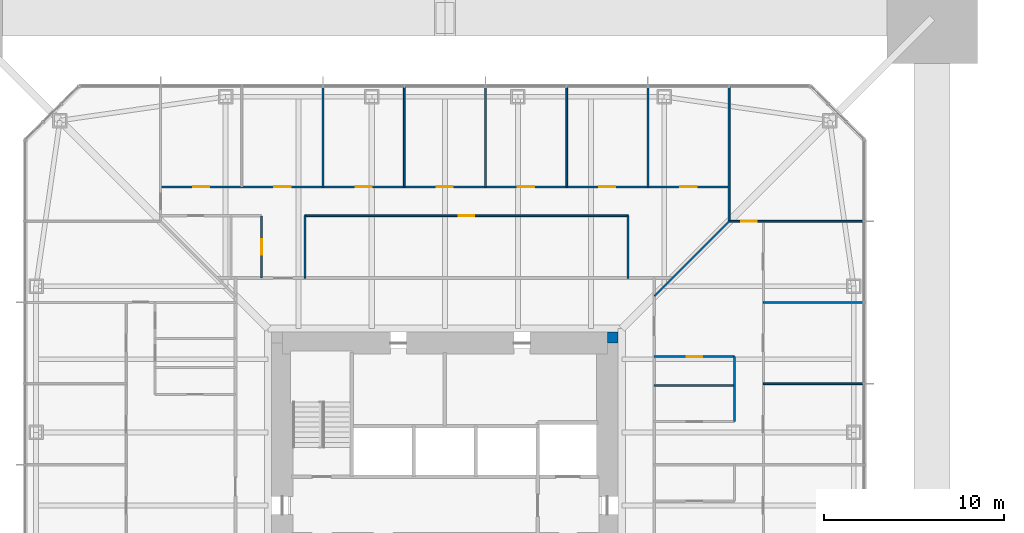
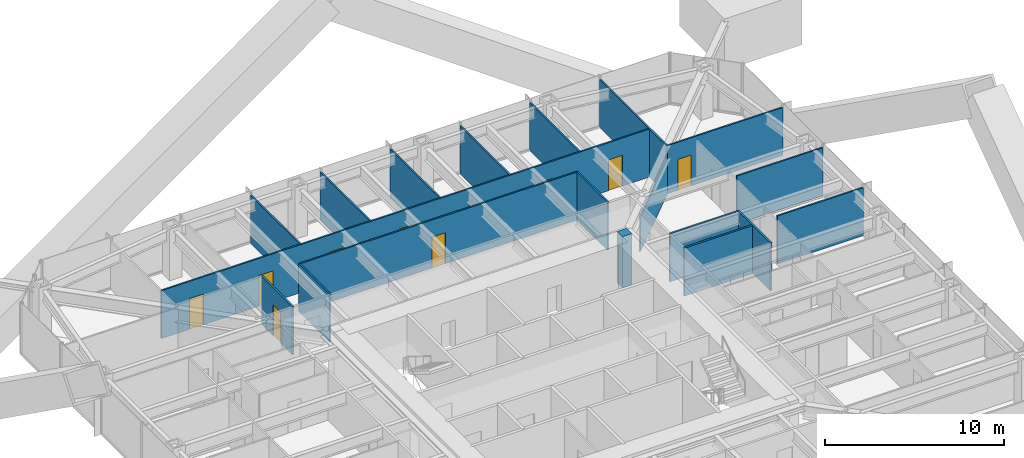
# One storey, part 19 of 28: 19 walls, 11 doors, 11 openings.
"""IFC4 building model written with IfcOpenShell, lengths in metres."""

from ifc_helpers import new_model, si_unit, direction, frame, frame_2d, origin, place, context, subcontext, project, spatial, rectangle, extrude, material, layer, layer_set, type_object, element, fill, save


model = new_model("IFC4")

# Units and contexts
model_context = context("Model", 3, precision=1e-05, world=origin(), true_north=direction((0.0, 1.0)))
body_context = subcontext(model_context, "Body", "Model", "MODEL_VIEW")
ifc_project = project(units=[si_unit("LENGTHUNIT", "METRE"), si_unit("AREAUNIT", "SQUARE_METRE"), si_unit("VOLUMEUNIT", "CUBIC_METRE"), si_unit("PLANEANGLEUNIT", "RADIAN"), si_unit("MASSUNIT", "GRAM", prefix="KILO")], contexts=[model_context])

# Site, building, storey
site_placement = place(None, origin())
site = spatial("IfcSite", under=ifc_project, at=site_placement, CompositionType="ELEMENT")
building_placement = place(site_placement, origin())
building = spatial("IfcBuilding", under=site, at=building_placement, Name="Iwan Alto Co-Living Towers", CompositionType="ELEMENT")
storey_placement = place(building_placement, frame((0.0, 0.0, 43.0)))
storey = spatial("IfcBuildingStorey", under=building, at=storey_placement, Name="L11", CompositionType="ELEMENT", Elevation=43.0)

# Walls
ifc_material_1 = material(Name="Gypsum board")
ifc_layer_1 = layer(ifc_material_1, 0.012451171875, Name="Board", Category="Finish")
ifc_material_2 = material(Name="Steel ASTM A1003 ST33H cold-formed studs", Category="steel")
ifc_layer_2 = layer(ifc_material_2, 0.074951171875, Name="Studs", Category="Framing")
ifc_layer_3 = layer(ifc_material_1, 0.012451171875, Name="Board", Category="Finish")
ifc_layer_set_1 = layer_set([ifc_layer_1, ifc_layer_2, ifc_layer_3], Name="PARTITION 100")
wall_type_1 = type_object("IfcWallType", Name="PARTITION 100", PredefinedType="PARTITIONING", material=ifc_layer_set_1)
for number, where, z_axis, x_axis, name in (
    (1, (17.64990234375, 6.75, 0.0), (0.0, 0.0, 1.0), (1.0, 0.0, 0.0), "Partition L11"),
    (2, (17.64990234375, 11.25, 0.0), (0.0, 0.0, 1.0), (1.0, 0.0, 0.0), "Partition L11"),
):
    element("IfcWall", number, at=place(storey_placement, frame(where, z_axis=z_axis, x_axis=x_axis)), inside=storey, type_object=wall_type_1, Name=name, PredefinedType="PARTITIONING", context=body_context, shape_type="SweptSolid", body=[
        extrude(rectangle(XDim=5.5400390625, YDim=0.10009765625, at=frame_2d((2.77001953125, 0.0))), origin(), (0.0, 0.0, 1.0), 3.27001953125),
    ])

# Wall, opening, door
wall_1_placement = place(storey_placement, frame((15.75, 15.75, 0.0), z_axis=(0.0, 0.0, 1.0), x_axis=(1.0, 0.0, 0.0)))
wall_1 = element("IfcWall", 3, at=wall_1_placement, inside=storey, type_object=wall_type_1, Name="Partition L11", PredefinedType="PARTITIONING", context=body_context, shape_type="SweptSolid", body=[
    extrude(rectangle(XDim=7.43994140625, YDim=0.10009765625, at=frame_2d((3.719970703125, 0.0))), origin(), (0.0, 0.0, 1.0), 3.27001953125),
])
opening_1_placement = place(wall_1_placement, frame((0.675048828125, 0.0, 0.0)))
opening_1 = element("IfcOpeningElement", 4, at=opening_1_placement, cuts=wall_1, Name="Opening D2", PredefinedType="OPENING", context=body_context, shape_type="SweptSolid", body=[
    extrude(rectangle(XDim=0.85009765625, YDim=2.10009765625, at=frame_2d((0.425048828125, 1.050048828125))), frame((0.0, 0.06005859375, 0.0), z_axis=(0.0, -1.0, 0.0), x_axis=(1.0, 0.0, 0.0)), (0.0, 0.0, 1.0), 0.1201171875),
])
ifc_material_3 = material(Name="Timber leaf in steel frame", Category="steel")
door_type_1 = type_object("IfcDoorType", Name="ROOM DOOR 850X2100", OperationType="SINGLE_SWING_LEFT", PredefinedType="DOOR", material=ifc_material_3)
door_1_placement = place(opening_1_placement, frame((0.85009765625, 0.0, 0.0), z_axis=(0.0, 0.0, 1.0), x_axis=(-1.0, 0.0, 0.0)))
door_1 = element("IfcDoor", 5, at=door_1_placement, inside=storey, type_object=door_type_1, Name="Shared kitchen and lounge door L11", OperationType="SINGLE_SWING_LEFT", OverallHeight=2.10009765625, OverallWidth=0.85009765625, PredefinedType="DOOR", context=body_context, shape_type="SweptSolid", body=[
    extrude(rectangle(XDim=0.85009765625, YDim=2.10009765625, at=frame_2d((0.425048828125, 1.050048828125))), frame((0.0, 0.02490234375, 0.0), z_axis=(0.0, -1.0, 0.0), x_axis=(1.0, 0.0, 0.0)), (0.0, 0.0, 1.0), 0.050048828125),
])
fill(opening_1, door_1)

wall_2_placement = place(storey_placement, frame((-7.75, 16.050048828125, 0.0), z_axis=(0.0, 0.0, 1.0), x_axis=(1.0, 0.0, 0.0)))
wall_2 = element("IfcWall", 6, at=wall_2_placement, inside=storey, type_object=wall_type_1, Name="Partition L11", PredefinedType="PARTITIONING", context=body_context, shape_type="SweptSolid", body=[
    extrude(rectangle(XDim=17.89990234375, YDim=0.10009765625, at=frame_2d((8.949951171875, 0.0))), origin(), (0.0, 0.0, 1.0), 3.27001953125),
])
opening_2_placement = place(wall_2_placement, frame((8.52490234375, 0.0, 0.0)))
opening_2 = element("IfcOpeningElement", 7, at=opening_2_placement, cuts=wall_2, Name="Opening D2", PredefinedType="OPENING", context=body_context, shape_type="SweptSolid", body=[
    extrude(rectangle(XDim=0.85009765625, YDim=2.10009765625, at=frame_2d((0.425048828125, 1.050048828125))), frame((0.0, 0.06005859375, 0.0), z_axis=(0.0, -1.0, 0.0), x_axis=(1.0, 0.0, 0.0)), (0.0, 0.0, 1.0), 0.1201171875),
])
door_2_placement = place(opening_2_placement, origin())
door_2 = element("IfcDoor", 8, at=door_2_placement, inside=storey, type_object=door_type_1, Name="Study lounge door L11", OperationType="SINGLE_SWING_RIGHT", OverallHeight=2.10009765625, OverallWidth=0.85009765625, PredefinedType="DOOR", context=body_context, shape_type="SweptSolid", body=[
    extrude(rectangle(XDim=0.85009765625, YDim=2.10009765625, at=frame_2d((0.425048828125, 1.050048828125))), frame((0.0, 0.02490234375, 0.0), z_axis=(0.0, -1.0, 0.0), x_axis=(1.0, 0.0, 0.0)), (0.0, 0.0, 1.0), 0.050048828125),
])
fill(opening_2, door_2)

# Wall, openings, doors
wall_3_placement = place(storey_placement, frame((-15.75, 17.64990234375, 0.0), z_axis=(0.0, 0.0, 1.0), x_axis=(1.0, 0.0, 0.0)))
wall_3 = element("IfcWall", 9, at=wall_3_placement, inside=storey, type_object=wall_type_1, Name="Partition L11", PredefinedType="PARTITIONING", context=body_context, shape_type="SweptSolid", body=[
    extrude(rectangle(XDim=31.5, YDim=0.10009765625, at=frame_2d((15.75, 0.0))), origin(), (0.0, 0.0, 1.0), 3.27001953125),
])
opening_3_placement = place(wall_3_placement, frame((28.800048828125, 0.0, 0.0)))
opening_3 = element("IfcOpeningElement", 10, at=opening_3_placement, cuts=wall_3, Name="Opening D1", PredefinedType="OPENING", context=body_context, shape_type="SweptSolid", body=[
    extrude(rectangle(XDim=0.89990234375, YDim=2.10009765625, at=frame_2d((0.449951171875, 1.050048828125))), frame((0.0, 0.06005859375, 0.0), z_axis=(0.0, -1.0, 0.0), x_axis=(1.0, 0.0, 0.0)), (0.0, 0.0, 1.0), 0.1201171875),
])
opening_4_placement = place(wall_3_placement, frame((24.300048828125, 0.0, 0.0)))
opening_4 = element("IfcOpeningElement", 11, at=opening_4_placement, cuts=wall_3, Name="Opening D1", PredefinedType="OPENING", context=body_context, shape_type="SweptSolid", body=[
    extrude(rectangle(XDim=0.89990234375, YDim=2.10009765625, at=frame_2d((0.449951171875, 1.050048828125))), frame((0.0, 0.06005859375, 0.0), z_axis=(0.0, -1.0, 0.0), x_axis=(1.0, 0.0, 0.0)), (0.0, 0.0, 1.0), 0.1201171875),
])
opening_5_placement = place(wall_3_placement, frame((19.800048828125, 0.0, 0.0)))
opening_5 = element("IfcOpeningElement", 12, at=opening_5_placement, cuts=wall_3, Name="Opening D1", PredefinedType="OPENING", context=body_context, shape_type="SweptSolid", body=[
    extrude(rectangle(XDim=0.89990234375, YDim=2.10009765625, at=frame_2d((0.449951171875, 1.050048828125))), frame((0.0, 0.06005859375, 0.0), z_axis=(0.0, -1.0, 0.0), x_axis=(1.0, 0.0, 0.0)), (0.0, 0.0, 1.0), 0.1201171875),
])
opening_6_placement = place(wall_3_placement, frame((15.300048828125, 0.0, 0.0)))
opening_6 = element("IfcOpeningElement", 13, at=opening_6_placement, cuts=wall_3, Name="Opening D1", PredefinedType="OPENING", context=body_context, shape_type="SweptSolid", body=[
    extrude(rectangle(XDim=0.89990234375, YDim=2.10009765625, at=frame_2d((0.449951171875, 1.050048828125))), frame((0.0, 0.06005859375, 0.0), z_axis=(0.0, -1.0, 0.0), x_axis=(1.0, 0.0, 0.0)), (0.0, 0.0, 1.0), 0.1201171875),
])
opening_7_placement = place(wall_3_placement, frame((10.800048828125, 0.0, 0.0)))
opening_7 = element("IfcOpeningElement", 14, at=opening_7_placement, cuts=wall_3, Name="Opening D1", PredefinedType="OPENING", context=body_context, shape_type="SweptSolid", body=[
    extrude(rectangle(XDim=0.89990234375, YDim=2.10009765625, at=frame_2d((0.449951171875, 1.050048828125))), frame((0.0, 0.06005859375, 0.0), z_axis=(0.0, -1.0, 0.0), x_axis=(1.0, 0.0, 0.0)), (0.0, 0.0, 1.0), 0.1201171875),
])
opening_8_placement = place(wall_3_placement, frame((6.300048828125, 0.0, 0.0)))
opening_8 = element("IfcOpeningElement", 15, at=opening_8_placement, cuts=wall_3, Name="Opening D1", PredefinedType="OPENING", context=body_context, shape_type="SweptSolid", body=[
    extrude(rectangle(XDim=0.89990234375, YDim=2.10009765625, at=frame_2d((0.449951171875, 1.050048828125))), frame((0.0, 0.06005859375, 0.0), z_axis=(0.0, -1.0, 0.0), x_axis=(1.0, 0.0, 0.0)), (0.0, 0.0, 1.0), 0.1201171875),
])
opening_9_placement = place(wall_3_placement, frame((1.800048828125, 0.0, 0.0)))
opening_9 = element("IfcOpeningElement", 16, at=opening_9_placement, cuts=wall_3, Name="Opening D1", PredefinedType="OPENING", context=body_context, shape_type="SweptSolid", body=[
    extrude(rectangle(XDim=0.89990234375, YDim=2.10009765625, at=frame_2d((0.449951171875, 1.050048828125))), frame((0.0, 0.06005859375, 0.0), z_axis=(0.0, -1.0, 0.0), x_axis=(1.0, 0.0, 0.0)), (0.0, 0.0, 1.0), 0.1201171875),
])
ifc_material_4 = material(Name="Timber leaf in steel frame", Category="steel")
door_type_2 = type_object("IfcDoorType", Name="BEDROOM DOOR 900X2100", OperationType="SINGLE_SWING_LEFT", PredefinedType="DOOR", material=ifc_material_4)
door_3_placement = place(opening_3_placement, frame((0.89990234375, 0.0, 0.0), z_axis=(0.0, 0.0, 1.0), x_axis=(-1.0, 0.0, 0.0)))
door_3 = element("IfcDoor", 17, at=door_3_placement, inside=storey, type_object=door_type_2, Name="Study bedroom door L11", OperationType="SINGLE_SWING_LEFT", OverallHeight=2.10009765625, OverallWidth=0.89990234375, PredefinedType="DOOR", context=body_context, shape_type="SweptSolid", body=[
    extrude(rectangle(XDim=0.89990234375, YDim=2.10009765625, at=frame_2d((0.449951171875, 1.050048828125))), frame((0.0, 0.02490234375, 0.0), z_axis=(0.0, -1.0, 0.0), x_axis=(1.0, 0.0, 0.0)), (0.0, 0.0, 1.0), 0.050048828125),
])
fill(opening_3, door_3)
door_4_placement = place(opening_4_placement, frame((0.89990234375, 0.0, 0.0), z_axis=(0.0, 0.0, 1.0), x_axis=(-1.0, 0.0, 0.0)))
door_4 = element("IfcDoor", 18, at=door_4_placement, inside=storey, type_object=door_type_2, Name="Study bedroom door L11", OperationType="SINGLE_SWING_LEFT", OverallHeight=2.10009765625, OverallWidth=0.89990234375, PredefinedType="DOOR", context=body_context, shape_type="SweptSolid", body=[
    extrude(rectangle(XDim=0.89990234375, YDim=2.10009765625, at=frame_2d((0.449951171875, 1.050048828125))), frame((0.0, 0.02490234375, 0.0), z_axis=(0.0, -1.0, 0.0), x_axis=(1.0, 0.0, 0.0)), (0.0, 0.0, 1.0), 0.050048828125),
])
fill(opening_4, door_4)
door_5_placement = place(opening_5_placement, frame((0.89990234375, 0.0, 0.0), z_axis=(0.0, 0.0, 1.0), x_axis=(-1.0, 0.0, 0.0)))
door_5 = element("IfcDoor", 19, at=door_5_placement, inside=storey, type_object=door_type_2, Name="Study bedroom door L11", OperationType="SINGLE_SWING_LEFT", OverallHeight=2.10009765625, OverallWidth=0.89990234375, PredefinedType="DOOR", context=body_context, shape_type="SweptSolid", body=[
    extrude(rectangle(XDim=0.89990234375, YDim=2.10009765625, at=frame_2d((0.449951171875, 1.050048828125))), frame((0.0, 0.02490234375, 0.0), z_axis=(0.0, -1.0, 0.0), x_axis=(1.0, 0.0, 0.0)), (0.0, 0.0, 1.0), 0.050048828125),
])
fill(opening_5, door_5)
door_6_placement = place(opening_6_placement, frame((0.89990234375, 0.0, 0.0), z_axis=(0.0, 0.0, 1.0), x_axis=(-1.0, 0.0, 0.0)))
door_6 = element("IfcDoor", 20, at=door_6_placement, inside=storey, type_object=door_type_2, Name="Study bedroom door L11", OperationType="SINGLE_SWING_RIGHT", OverallHeight=2.10009765625, OverallWidth=0.89990234375, PredefinedType="DOOR", context=body_context, shape_type="SweptSolid", body=[
    extrude(rectangle(XDim=0.89990234375, YDim=2.10009765625, at=frame_2d((0.449951171875, 1.050048828125))), frame((0.0, 0.02490234375, 0.0), z_axis=(0.0, -1.0, 0.0), x_axis=(1.0, 0.0, 0.0)), (0.0, 0.0, 1.0), 0.050048828125),
])
fill(opening_6, door_6)
door_7_placement = place(opening_7_placement, frame((0.89990234375, 0.0, 0.0), z_axis=(0.0, 0.0, 1.0), x_axis=(-1.0, 0.0, 0.0)))
door_7 = element("IfcDoor", 21, at=door_7_placement, inside=storey, type_object=door_type_2, Name="Study bedroom door L11", OperationType="SINGLE_SWING_RIGHT", OverallHeight=2.10009765625, OverallWidth=0.89990234375, PredefinedType="DOOR", context=body_context, shape_type="SweptSolid", body=[
    extrude(rectangle(XDim=0.89990234375, YDim=2.10009765625, at=frame_2d((0.449951171875, 1.050048828125))), frame((0.0, 0.02490234375, 0.0), z_axis=(0.0, -1.0, 0.0), x_axis=(1.0, 0.0, 0.0)), (0.0, 0.0, 1.0), 0.050048828125),
])
fill(opening_7, door_7)
door_8_placement = place(opening_8_placement, frame((0.89990234375, 0.0, 0.0), z_axis=(0.0, 0.0, 1.0), x_axis=(-1.0, 0.0, 0.0)))
door_8 = element("IfcDoor", 22, at=door_8_placement, inside=storey, type_object=door_type_2, Name="Study bedroom door L11", OperationType="SINGLE_SWING_RIGHT", OverallHeight=2.10009765625, OverallWidth=0.89990234375, PredefinedType="DOOR", context=body_context, shape_type="SweptSolid", body=[
    extrude(rectangle(XDim=0.89990234375, YDim=2.10009765625, at=frame_2d((0.449951171875, 1.050048828125))), frame((0.0, 0.02490234375, 0.0), z_axis=(0.0, -1.0, 0.0), x_axis=(1.0, 0.0, 0.0)), (0.0, 0.0, 1.0), 0.050048828125),
])
fill(opening_8, door_8)
door_9_placement = place(opening_9_placement, frame((0.89990234375, 0.0, 0.0), z_axis=(0.0, 0.0, 1.0), x_axis=(-1.0, 0.0, 0.0)))
door_9 = element("IfcDoor", 23, at=door_9_placement, inside=storey, type_object=door_type_2, Name="Study bedroom door L11", OperationType="SINGLE_SWING_RIGHT", OverallHeight=2.10009765625, OverallWidth=0.89990234375, PredefinedType="DOOR", context=body_context, shape_type="SweptSolid", body=[
    extrude(rectangle(XDim=0.89990234375, YDim=2.10009765625, at=frame_2d((0.449951171875, 1.050048828125))), frame((0.0, 0.02490234375, 0.0), z_axis=(0.0, -1.0, 0.0), x_axis=(1.0, 0.0, 0.0)), (0.0, 0.0, 1.0), 0.050048828125),
])
fill(opening_9, door_9)

# Walls
wall_4_placement = place(storey_placement, frame((11.60009765625, 11.60009765625, 0.0), z_axis=(0.0, 0.0, 1.0), x_axis=(0.707106781187, 0.707106781187, 0.0)))
element("IfcWall", 24, at=wall_4_placement, inside=storey, type_object=wall_type_1, Name="Partition L11", PredefinedType="PARTITIONING", context=body_context, shape_type="SweptSolid", body=[
    extrude(rectangle(XDim=5.868896484375, YDim=0.10009765625, at=frame_2d((2.9345703125, 0.0))), origin(), (0.0, 0.0, 1.0), 2.343017578125),
])
wall_5_placement = place(storey_placement, frame((15.75, 15.75, 0.0), z_axis=(0.0, 0.0, 1.0), x_axis=(0.0, 1.0, 0.0)))
element("IfcWall", 25, at=wall_5_placement, inside=storey, type_object=wall_type_1, Name="Partition L11", PredefinedType="PARTITIONING", context=body_context, shape_type="SweptSolid", body=[
    extrude(rectangle(XDim=7.43994140625, YDim=0.10009765625, at=frame_2d((3.719970703125, 0.0))), origin(), (0.0, 0.0, 1.0), 3.27001953125),
])
wall_6_placement = place(storey_placement, frame((11.25, 17.64990234375, 0.0), z_axis=(0.0, 0.0, 1.0), x_axis=(0.0, 1.0, 0.0)))
element("IfcWall", 26, at=wall_6_placement, inside=storey, type_object=wall_type_1, Name="Partition L11", PredefinedType="PARTITIONING", context=body_context, shape_type="SweptSolid", body=[
    extrude(rectangle(XDim=5.5400390625, YDim=0.10009765625, at=frame_2d((2.77001953125, 0.0))), origin(), (0.0, 0.0, 1.0), 3.27001953125),
])
wall_7_placement = place(storey_placement, frame((10.14990234375, 12.60009765625, 0.0), z_axis=(0.0, 0.0, 1.0), x_axis=(0.0, 1.0, 0.0)))
element("IfcWall", 27, at=wall_7_placement, inside=storey, type_object=wall_type_1, Name="Partition L11", PredefinedType="PARTITIONING", context=body_context, shape_type="SweptSolid", body=[
    extrude(rectangle(XDim=3.449951171875, YDim=0.10009765625, at=frame_2d((1.72509765625, 0.0))), origin(), (0.0, 0.0, 1.0), 3.27001953125),
])
for number, where, z_axis, x_axis, name in (
    (28, (6.75, 17.64990234375, 0.0), (0.0, 0.0, 1.0), (0.0, 1.0, 0.0), "Partition L11"),
    (29, (2.25, 17.64990234375, 0.0), (0.0, 0.0, 1.0), (0.0, 1.0, 0.0), "Partition L11"),
    (30, (-2.25, 17.64990234375, 0.0), (0.0, 0.0, 1.0), (0.0, 1.0, 0.0), "Partition L11"),
    (31, (-6.75, 17.64990234375, 0.0), (0.0, 0.0, 1.0), (0.0, 1.0, 0.0), "Partition L11"),
):
    element("IfcWall", number, at=place(storey_placement, frame(where, z_axis=z_axis, x_axis=x_axis)), inside=storey, type_object=wall_type_1, Name=name, PredefinedType="PARTITIONING", context=body_context, shape_type="SweptSolid", body=[
        extrude(rectangle(XDim=5.5400390625, YDim=0.10009765625, at=frame_2d((2.77001953125, 0.0))), origin(), (0.0, 0.0, 1.0), 3.27001953125),
    ])
wall_8_placement = place(storey_placement, frame((-7.75, 12.60009765625, 0.0), z_axis=(0.0, 0.0, 1.0), x_axis=(0.0, 1.0, 0.0)))
element("IfcWall", 32, at=wall_8_placement, inside=storey, type_object=wall_type_1, Name="Partition L11", PredefinedType="PARTITIONING", context=body_context, shape_type="SweptSolid", body=[
    extrude(rectangle(XDim=3.449951171875, YDim=0.10009765625, at=frame_2d((1.72509765625, 0.0))), origin(), (0.0, 0.0, 1.0), 3.27001953125),
])
ifc_material_5 = material(Name="Concrete f'c 70 MPa", Category="concrete")
ifc_layer_4 = layer(ifc_material_5, 0.60009765625)
ifc_layer_set_2 = layer_set([ifc_layer_4], Name="T1 CORE CORNER FILL 600")
wall_type_2 = type_object("IfcWallType", Name="T1 CORE CORNER FILL 600", PredefinedType="SOLIDWALL", material=ifc_layer_set_2)
wall_9_placement = place(storey_placement, frame((9.0, 9.300048828125, 0.0), z_axis=(0.0, 0.0, 1.0), x_axis=(1.0, 0.0, 0.0)))
element("IfcWall", 33, at=wall_9_placement, inside=storey, type_object=wall_type_2, Name="T1 core corner NE L11", PredefinedType="SOLIDWALL", context=body_context, shape_type="SweptSolid", body=[
    extrude(rectangle(XDim=0.60009765625, YDim=0.60009765625, at=frame_2d((0.300048828125, 0.0))), origin(), (0.0, 0.0, 1.0), 3.5),
])
ifc_material_6 = material(Name="Cement board")
ifc_layer_5 = layer(ifc_material_6, 0.012451171875, Name="Board", Category="Finish")
ifc_layer_6 = layer(ifc_material_2, 0.094970703125, Name="Studs", Category="Framing")
ifc_layer_7 = layer(ifc_material_6, 0.012451171875, Name="Board", Category="Finish")
ifc_layer_set_3 = layer_set([ifc_layer_5, ifc_layer_6, ifc_layer_7], Name="WET AREA PARTITION 120")
wall_type_3 = type_object("IfcWallType", Name="WET AREA PARTITION 120", PredefinedType="PARTITIONING", material=ifc_layer_set_3)
wall_10_placement = place(storey_placement, frame((11.60009765625, 6.64990234375, 0.0), z_axis=(0.0, 0.0, 1.0), x_axis=(1.0, 0.0, 0.0)))
element("IfcWall", 34, at=wall_10_placement, inside=storey, type_object=wall_type_3, Name="Partition L11", PredefinedType="PARTITIONING", context=body_context, shape_type="SweptSolid", body=[
    extrude(rectangle(XDim=4.449951171875, YDim=0.1201171875, at=frame_2d((2.22509765625, 0.0))), origin(), (0.0, 0.0, 1.0), 3.27001953125),
])

# Wall, opening, door
wall_11_placement = place(storey_placement, frame((11.60009765625, 8.25, 0.0), z_axis=(0.0, 0.0, 1.0), x_axis=(1.0, 0.0, 0.0)))
wall_11 = element("IfcWall", 35, at=wall_11_placement, inside=storey, type_object=wall_type_3, Name="Partition L11", PredefinedType="PARTITIONING", context=body_context, shape_type="SweptSolid", body=[
    extrude(rectangle(XDim=4.449951171875, YDim=0.1201171875, at=frame_2d((2.22509765625, 0.0))), origin(), (0.0, 0.0, 1.0), 3.27001953125),
])
opening_10_placement = place(wall_11_placement, frame((1.800048828125, 0.0, 0.0)))
opening_10 = element("IfcOpeningElement", 36, at=opening_10_placement, cuts=wall_11, Name="Opening D2", PredefinedType="OPENING", context=body_context, shape_type="SweptSolid", body=[
    extrude(rectangle(XDim=0.85009765625, YDim=2.10009765625, at=frame_2d((0.425048828125, 1.050048828125))), frame((0.0, 0.070068359375, 0.0), z_axis=(0.0, -1.0, 0.0), x_axis=(1.0, 0.0, 0.0)), (0.0, 0.0, 1.0), 0.14013671875),
])
door_10_placement = place(opening_10_placement, origin())
door_10 = element("IfcDoor", 37, at=door_10_placement, inside=storey, type_object=door_type_1, Name="Accessible bathroom door L11", OperationType="SINGLE_SWING_LEFT", OverallHeight=2.10009765625, OverallWidth=0.85009765625, PredefinedType="DOOR", context=body_context, shape_type="SweptSolid", body=[
    extrude(rectangle(XDim=0.85009765625, YDim=2.10009765625, at=frame_2d((0.425048828125, 1.050048828125))), frame((0.0, 0.02490234375, 0.0), z_axis=(0.0, -1.0, 0.0), x_axis=(1.0, 0.0, 0.0)), (0.0, 0.0, 1.0), 0.050048828125),
])
fill(opening_10, door_10)

# Wall
wall_12_placement = place(storey_placement, frame((16.050048828125, 4.64990234375, 0.0), z_axis=(0.0, 0.0, 1.0), x_axis=(0.0, 1.0, 0.0)))
element("IfcWall", 38, at=wall_12_placement, inside=storey, type_object=wall_type_3, Name="Partition L11", PredefinedType="PARTITIONING", context=body_context, shape_type="SweptSolid", body=[
    extrude(rectangle(XDim=3.60009765625, YDim=0.1201171875, at=frame_2d((1.800048828125, 0.0))), origin(), (0.0, 0.0, 1.0), 3.27001953125),
])

# Wall, opening, door
wall_13_placement = place(storey_placement, frame((-10.14990234375, 12.60009765625, 0.0), z_axis=(0.0, 0.0, 1.0), x_axis=(0.0, 1.0, 0.0)))
wall_13 = element("IfcWall", 39, at=wall_13_placement, inside=storey, type_object=wall_type_3, Name="Partition L11", PredefinedType="PARTITIONING", context=body_context, shape_type="SweptSolid", body=[
    extrude(rectangle(XDim=3.449951171875, YDim=0.1201171875, at=frame_2d((1.72509765625, 0.0))), origin(), (0.0, 0.0, 1.0), 3.27001953125),
])
opening_11_placement = place(wall_13_placement, frame((1.300048828125, 0.0, 0.0)))
opening_11 = element("IfcOpeningElement", 40, at=opening_11_placement, cuts=wall_13, Name="Opening D2", PredefinedType="OPENING", context=body_context, shape_type="SweptSolid", body=[
    extrude(rectangle(XDim=0.85009765625, YDim=2.10009765625, at=frame_2d((0.425048828125, 1.050048828125))), frame((0.0, 0.070068359375, 0.0), z_axis=(0.0, -1.0, 0.0), x_axis=(1.0, 0.0, 0.0)), (0.0, 0.0, 1.0), 0.14013671875),
])
door_11_placement = place(opening_11_placement, frame((0.85009765625, 0.0, 0.0), z_axis=(0.0, 0.0, 1.0), x_axis=(-1.0, 0.0, 0.0)))
door_11 = element("IfcDoor", 41, at=door_11_placement, inside=storey, type_object=door_type_1, Name="Bathroom door L11", OperationType="SINGLE_SWING_RIGHT", OverallHeight=2.10009765625, OverallWidth=0.85009765625, PredefinedType="DOOR", context=body_context, shape_type="SweptSolid", body=[
    extrude(rectangle(XDim=0.85009765625, YDim=2.10009765625, at=frame_2d((0.425048828125, 1.050048828125))), frame((0.0, 0.02490234375, 0.0), z_axis=(0.0, -1.0, 0.0), x_axis=(1.0, 0.0, 0.0)), (0.0, 0.0, 1.0), 0.050048828125),
])
fill(opening_11, door_11)

save(model, "model.ifc")
